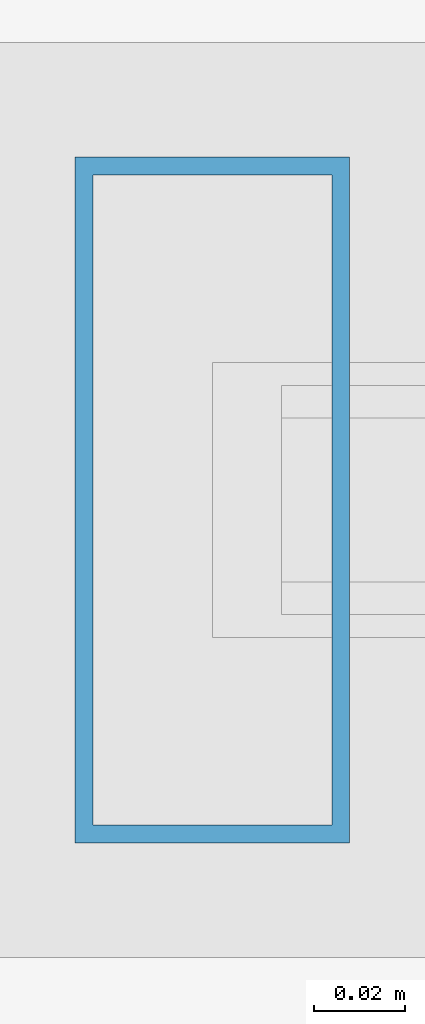
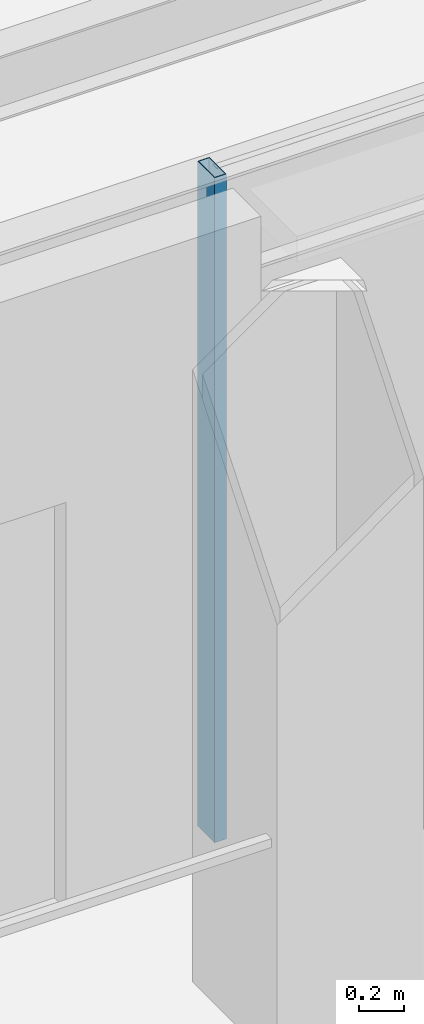
# One storey, part 5 of 24: 1 member, 1 element without a shape of its own.
"""IFC4 building model written with IfcOpenShell, lengths in metres."""

from ifc_helpers import new_model, si_unit, direction, frame, origin, origin_2d, place, context, subcontext, project, spatial, hollow_rectangle, extrude, material, layer, layer_set, material_profile, profile_set, type_object, element, aggregate, save


model = new_model("IFC4")

# Units and contexts
model_context = context("Model", 3, precision=1e-05, world=origin(), true_north=direction((0.0, 1.0)))
body_context = subcontext(model_context, "Body", "Model", "MODEL_VIEW")
ifc_project = project(units=[si_unit("LENGTHUNIT", "METRE"), si_unit("AREAUNIT", "SQUARE_METRE"), si_unit("VOLUMEUNIT", "CUBIC_METRE"), si_unit("PLANEANGLEUNIT", "RADIAN"), si_unit("MASSUNIT", "GRAM", prefix="KILO")], contexts=[model_context])

# Site, building, storey
site_placement = place(None, origin())
site = spatial("IfcSite", under=ifc_project, at=site_placement, CompositionType="ELEMENT")
building_placement = place(site_placement, origin())
building = spatial("IfcBuilding", under=site, at=building_placement, Name="Brelmoor Portico Tower", CompositionType="ELEMENT")
storey_placement = place(building_placement, frame((0.0, 0.0, 261.60009765625)))
storey = spatial("IfcBuildingStorey", under=building, at=storey_placement, Name="L69", CompositionType="ELEMENT", Elevation=261.60009765625)

# Curtain wall, member
ifc_material = material(Name="Anodised Aluminium Alloy 6063-T6", Category="aluminium")
ifc_layer = layer(ifc_material, 0.179931640625)
ifc_layer_set = layer_set([ifc_layer], Name="Anodised Aluminium Alloy 6063-T6")
curtain_wall_type = type_object("IfcCurtainWallType", Name="CW-TOWER-Z4", PredefinedType="NOTDEFINED", material=ifc_layer_set)
curtain_wall_placement = place(storey_placement, origin())
curtain_wall = element("IfcCurtainWall", 1, at=curtain_wall_placement, inside=storey, type_object=curtain_wall_type, Name="L69 Curtain Wall CW-L69-1R-1", PredefinedType="NOTDEFINED")
ifc_material_profile = material_profile(ifc_material, hollow_rectangle(XDim=0.06005859375, YDim=0.14990234375, WallThickness=0.00390625, at=origin_2d()), Name="ALU MULLION 60x150")
ifc_profile_set = profile_set([ifc_material_profile], Name="Anodised Aluminium Alloy 6063-T6")
member_type = type_object("IfcMemberType", Name="MB-CW-MULL-150", PredefinedType="MULLION", material=ifc_profile_set)
member_placement = place(storey_placement, frame((-2.0, -17.550048828125, -0.2001953125), z_axis=(0.0, 0.0, 1.0), x_axis=(1.0, 0.0, 0.0)))
member = element("IfcMember", 2, at=member_placement, type_object=member_type, Name="CW-L69-1R-1 Mullion 00", PredefinedType="MULLION", context=body_context, shape_type="SweptSolid", body=[
    extrude(hollow_rectangle(XDim=0.06005859375, YDim=0.14990234375, WallThickness=0.00390625, at=origin_2d()), origin(), (0.0, 0.0, 1.0), 3.60009765625),
])
aggregate(curtain_wall, [member])

save(model, "model.ifc")
